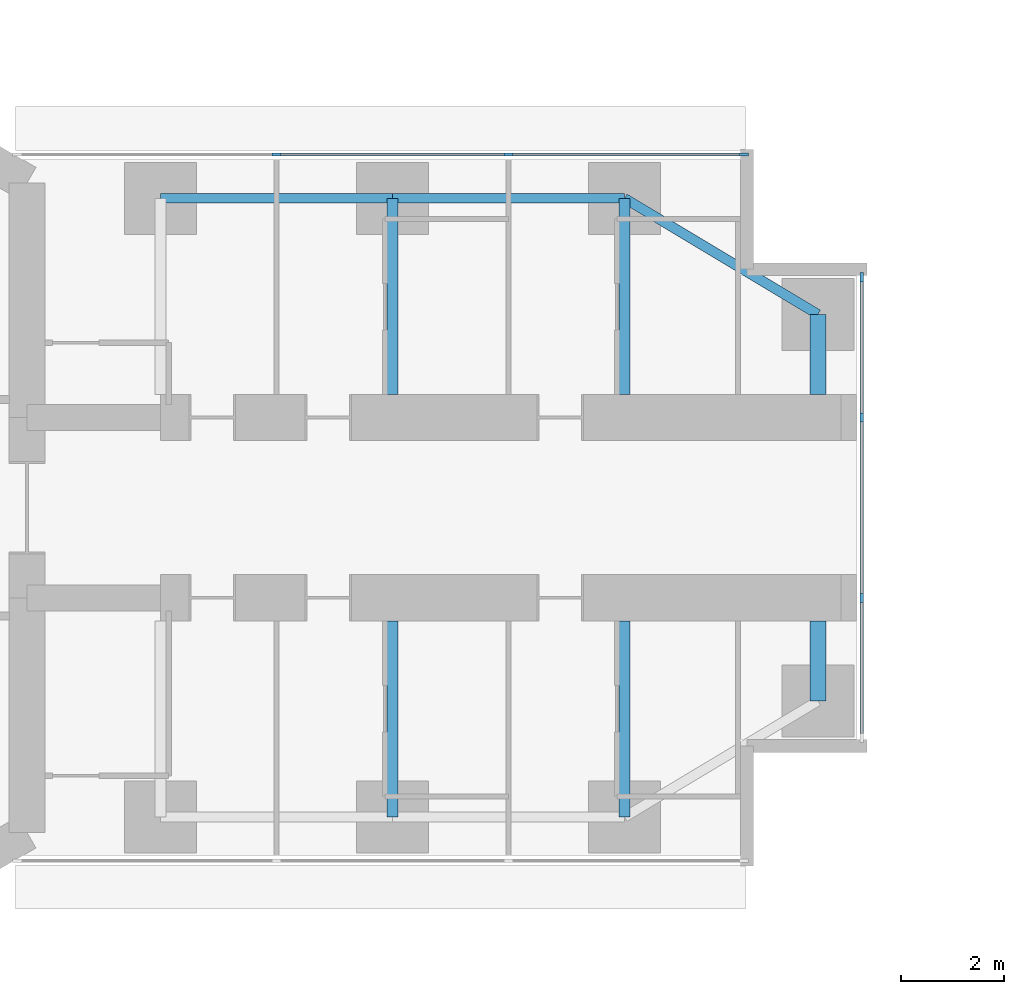
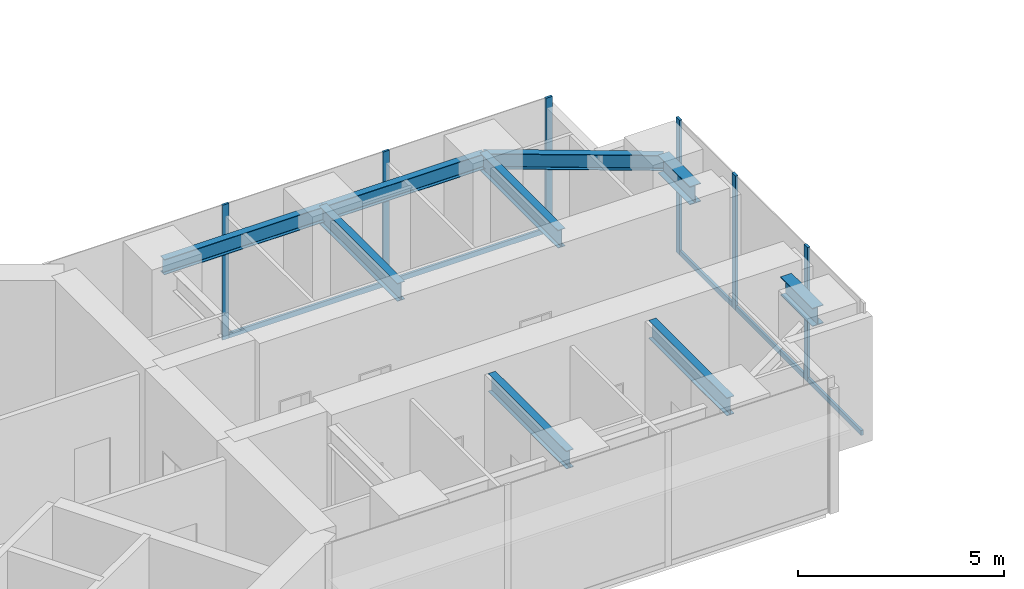
# One storey, part 8 of 25: 11 members, 9 beams, 2 elements without a shape of their own.
"""IFC4 building model written with IfcOpenShell, lengths in metres."""

from ifc_helpers import new_model, si_unit, direction, frame, origin, origin_2d, place, context, subcontext, project, spatial, rectangle, i_section, extrude, material, material_profile, profile_set, type_object, element, aggregate, save


model = new_model("IFC4")

# Units and contexts
model_context = context("Model", 3, precision=1e-05, world=origin(), true_north=direction((0.0, 1.0)))
body_context = subcontext(model_context, "Body", "Model", "MODEL_VIEW")
ifc_project = project(units=[si_unit("LENGTHUNIT", "METRE"), si_unit("AREAUNIT", "SQUARE_METRE"), si_unit("VOLUMEUNIT", "CUBIC_METRE"), si_unit("PLANEANGLEUNIT", "RADIAN"), si_unit("MASSUNIT", "GRAM", prefix="KILO")], contexts=[model_context])

# Site, building, storey
site_placement = place(None, origin())
site = spatial("IfcSite", under=ifc_project, at=site_placement, CompositionType="ELEMENT")
building_placement = place(site_placement, origin())
building = spatial("IfcBuilding", under=site, at=building_placement, Name="Upepo Twin Towers", CompositionType="ELEMENT")
storey_placement = place(building_placement, frame((0.0, 0.0, 88.5)))
storey = spatial("IfcBuildingStorey", under=building, at=storey_placement, Name="L21", CompositionType="ELEMENT", Elevation=88.5)

# Beams
ifc_material_1 = material(Name="Steel S355", Category="steel")
ifc_material_profile_1 = material_profile(ifc_material_1, i_section(OverallWidth=0.1904296875, OverallDepth=0.45703125, WebThickness=0.009033203125, FlangeThickness=0.014404296875, FilletRadius=0.01025390625, at=origin_2d()), Name="UB 457x191x74")
ifc_profile_set_1 = profile_set([ifc_material_profile_1], Name="Steel S355")
beam_type_1 = type_object("IfcBeamType", Name="Beam UB 457x191x74", PredefinedType="BEAM", material=ifc_profile_set_1)
for number, where, z_axis, x_axis, name in (
    (1, (13.5, 6.0, 3.471435546875), (1.0, 0.0, 0.0), (0.0, 1.0, 0.0), "T1 edge beam AL 13.5-18.0"),
    (2, (18.0, 6.0, 3.471435546875), (1.0, 0.0, 0.0), (0.0, 1.0, 0.0), "T1 edge beam AL 18.0-22.5"),
):
    element("IfcBeam", number, at=place(storey_placement, frame(where, z_axis=z_axis, x_axis=x_axis)), inside=storey, type_object=beam_type_1, Name=name, PredefinedType="BEAM", context=body_context, shape_type="SweptSolid", body=[
        extrude(i_section(OverallWidth=0.1904296875, OverallDepth=0.45703125, WebThickness=0.009033203125, FlangeThickness=0.014404296875, FilletRadius=0.01025390625, at=origin_2d()), origin(), (0.0, 0.0, 1.0), 4.5),
    ])
beam_placement = place(storey_placement, frame((22.5, 6.0, 3.471435546875), z_axis=(0.857492925713, -0.514495755428, 0.0), x_axis=(0.514495755428, 0.857492925713, 0.0)))
element("IfcBeam", 3, at=beam_placement, inside=storey, type_object=beam_type_1, Name="T1 nose edge beam AL", PredefinedType="BEAM", context=body_context, shape_type="SweptSolid", body=[
    extrude(i_section(OverallWidth=0.1904296875, OverallDepth=0.45703125, WebThickness=0.009033203125, FlangeThickness=0.014404296875, FilletRadius=0.01025390625, at=origin_2d()), origin(), (0.0, 0.0, 1.0), 4.373291015625),
])
ifc_material_2 = material(Name="Steel S355", Category="steel")
ifc_material_profile_2 = material_profile(ifc_material_2, i_section(OverallWidth=0.209228515625, OverallDepth=0.533203125, WebThickness=0.010009765625, FlangeThickness=0.015625, FilletRadius=0.0126953125, at=origin_2d()), Name="UB 533x210x92")
ifc_profile_set_2 = profile_set([ifc_material_profile_2], Name="Steel S355")
beam_type_2 = type_object("IfcBeamType", Name="Beam UB 533x210x92", PredefinedType="BEAM", material=ifc_profile_set_2)
for number, where, z_axis, x_axis, name in (
    (4, (18.0, 6.0, 3.433349609375), (0.0, -1.0, 0.0), (1.0, 0.0, 0.0), "T1 girder AL at 18.0"),
    (5, (22.5, 6.0, 3.433349609375), (0.0, -1.0, 0.0), (1.0, 0.0, 0.0), "T1 girder AL at 22.5"),
    (6, (18.0, -6.0, 3.433349609375), (0.0, 1.0, 0.0), (-1.0, 0.0, 0.0), "T1 girder AR at 18.0"),
    (7, (22.5, -6.0, 3.433349609375), (0.0, 1.0, 0.0), (-1.0, 0.0, 0.0), "T1 girder AR at 22.5"),
):
    element("IfcBeam", number, at=place(storey_placement, frame(where, z_axis=z_axis, x_axis=x_axis)), inside=storey, type_object=beam_type_2, Name=name, PredefinedType="BEAM", context=body_context, shape_type="SweptSolid", body=[
        extrude(i_section(OverallWidth=0.209228515625, OverallDepth=0.533203125, WebThickness=0.010009765625, FlangeThickness=0.015625, FilletRadius=0.0126953125, at=origin_2d()), origin(), (0.0, 0.0, 1.0), 3.800048828125),
    ])
ifc_material_3 = material(Name="Steel S355", Category="steel")
ifc_material_profile_3 = material_profile(ifc_material_3, i_section(OverallWidth=0.31201171875, OverallDepth=0.54345703125, WebThickness=0.0126953125, FlangeThickness=0.020263671875, FilletRadius=0.0126953125, at=origin_2d()), Name="UB 533x312x150")
ifc_profile_set_3 = profile_set([ifc_material_profile_3], Name="Steel S355")
beam_type_3 = type_object("IfcBeamType", Name="Beam UB 533x312x150", PredefinedType="BEAM", material=ifc_profile_set_3)
for number, where, z_axis, x_axis, name in (
    (8, (26.25, 3.75, 3.42822265625), (0.0, -1.0, 0.0), (1.0, 0.0, 0.0), "T1 nose beam AL"),
    (9, (26.25, -3.75, 3.42822265625), (0.0, 1.0, 0.0), (-1.0, 0.0, 0.0), "T1 nose beam AR"),
):
    element("IfcBeam", number, at=place(storey_placement, frame(where, z_axis=z_axis, x_axis=x_axis)), inside=storey, type_object=beam_type_3, Name=name, PredefinedType="BEAM", context=body_context, shape_type="SweptSolid", body=[
        extrude(i_section(OverallWidth=0.31201171875, OverallDepth=0.54345703125, WebThickness=0.0126953125, FlangeThickness=0.020263671875, FilletRadius=0.0126953125, at=origin_2d()), origin(), (0.0, 0.0, 1.0), 1.550048828125),
    ])

# Curtain wall, members
ifc_material_4 = material(Name="Aluminium and fritted glass", Category="aluminium")
curtain_wall_type = type_object("IfcCurtainWallType", Name="Tower curtain wall TW1, fritted glass", PredefinedType="NOTDEFINED", material=ifc_material_4)
curtain_wall_1_placement = place(storey_placement, origin())
curtain_wall_1 = element("IfcCurtainWall", 10, at=curtain_wall_1_placement, inside=storey, type_object=curtain_wall_type, Name="T1 L21 wing A flank L curtain wall", PredefinedType="NOTDEFINED")
ifc_material_5 = material(Name="Aluminium mullion", Category="aluminium")
ifc_material_profile_4 = material_profile(ifc_material_5, rectangle(XDim=0.06494140625, YDim=0.179931640625, at=origin_2d()), Name="MULLION 65x180")
ifc_profile_set_4 = profile_set([ifc_material_profile_4], Name="Aluminium mullion")
member_type_1 = type_object("IfcMemberType", Name="Mullion 65x180 TW1", PredefinedType="MULLION", material=ifc_profile_set_4)
member_1_placement = place(storey_placement, frame((15.75, 6.85009765625, 0.0), z_axis=(0.0, 0.0, 1.0), x_axis=(0.0, 1.0, 0.0)))
member_1 = element("IfcMember", 11, at=member_1_placement, type_object=member_type_1, Name="T1 L21 wing A flank L curtain wall mullion 2", PredefinedType="MULLION", context=body_context, shape_type="SweptSolid", body=[
    extrude(rectangle(XDim=0.06494140625, YDim=0.179931640625, at=origin_2d()), origin(), (0.0, 0.0, 1.0), 4.0),
])
member_2_placement = place(storey_placement, frame((20.25, 6.85009765625, 0.0), z_axis=(0.0, 0.0, 1.0), x_axis=(0.0, 1.0, 0.0)))
member_2 = element("IfcMember", 12, at=member_2_placement, type_object=member_type_1, Name="T1 L21 wing A flank L curtain wall mullion 3", PredefinedType="MULLION", context=body_context, shape_type="SweptSolid", body=[
    extrude(rectangle(XDim=0.06494140625, YDim=0.179931640625, at=origin_2d()), origin(), (0.0, 0.0, 1.0), 4.0),
])
member_3_placement = place(storey_placement, frame((24.8173828125, 6.85009765625, 0.0), z_axis=(0.0, 0.0, 1.0), x_axis=(0.0, 1.0, 0.0)))
member_3 = element("IfcMember", 13, at=member_3_placement, type_object=member_type_1, Name="T1 L21 wing A flank L curtain wall mullion 4", PredefinedType="MULLION", context=body_context, shape_type="SweptSolid", body=[
    extrude(rectangle(XDim=0.06494140625, YDim=0.179931640625, at=origin_2d()), origin(), (0.0, 0.0, 1.0), 4.0),
])

curtain_wall_2_placement = place(storey_placement, origin())
curtain_wall_2 = element("IfcCurtainWall", 14, at=curtain_wall_2_placement, inside=storey, type_object=curtain_wall_type, Name="T1 L21 wing A nose curtain wall", PredefinedType="NOTDEFINED")
member_4_placement = place(storey_placement, frame((27.10009765625, -1.75, 0.0), z_axis=(0.0, 0.0, 1.0), x_axis=(-1.0, 0.0, 0.0)))
member_4 = element("IfcMember", 15, at=member_4_placement, type_object=member_type_1, Name="T1 L21 wing A nose curtain wall mullion 2", PredefinedType="MULLION", context=body_context, shape_type="SweptSolid", body=[
    extrude(rectangle(XDim=0.06494140625, YDim=0.179931640625, at=origin_2d()), origin(), (0.0, 0.0, 1.0), 4.0),
])
member_5_placement = place(storey_placement, frame((27.10009765625, 1.75, 0.0), z_axis=(0.0, 0.0, 1.0), x_axis=(-1.0, 0.0, 0.0)))
member_5 = element("IfcMember", 16, at=member_5_placement, type_object=member_type_1, Name="T1 L21 wing A nose curtain wall mullion 3", PredefinedType="MULLION", context=body_context, shape_type="SweptSolid", body=[
    extrude(rectangle(XDim=0.06494140625, YDim=0.179931640625, at=origin_2d()), origin(), (0.0, 0.0, 1.0), 4.0),
])
member_6_placement = place(storey_placement, frame((27.10009765625, 4.467529296875, 0.0), z_axis=(0.0, 0.0, 1.0), x_axis=(-1.0, 0.0, 0.0)))
member_6 = element("IfcMember", 17, at=member_6_placement, type_object=member_type_1, Name="T1 L21 wing A nose curtain wall mullion 4", PredefinedType="MULLION", context=body_context, shape_type="SweptSolid", body=[
    extrude(rectangle(XDim=0.06494140625, YDim=0.179931640625, at=origin_2d()), origin(), (0.0, 0.0, 1.0), 4.0),
])

# Member
ifc_material_6 = material(Name="Aluminium transom", Category="aluminium")
ifc_material_profile_5 = material_profile(ifc_material_6, rectangle(XDim=0.06494140625, YDim=0.14990234375, at=origin_2d()), Name="TRANSOM 65x150")
ifc_profile_set_5 = profile_set([ifc_material_profile_5], Name="Aluminium transom")
member_type_2 = type_object("IfcMemberType", Name="Transom 65x150 TW1", PredefinedType="USERDEFINED", material=ifc_profile_set_5)
member_7_placement = place(storey_placement, frame((15.782470703125, 6.85009765625, 0.074951171875), z_axis=(1.0, 0.0, 0.0), x_axis=(0.0, 1.0, 0.0)))
member_7 = element("IfcMember", 18, at=member_7_placement, type_object=member_type_2, Name="T1 L21 wing A flank L curtain wall transom 2", ObjectType="TRANSOM", PredefinedType="USERDEFINED", context=body_context, shape_type="SweptSolid", body=[
    extrude(rectangle(XDim=0.06494140625, YDim=0.14990234375, at=origin_2d()), origin(), (0.0, 0.0, 1.0), 4.43505859375),
])

member_8_placement = place(storey_placement, frame((20.282470703125, 6.85009765625, 0.074951171875), z_axis=(1.0, 0.0, 0.0), x_axis=(0.0, 1.0, 0.0)))
member_8 = element("IfcMember", 19, at=member_8_placement, type_object=member_type_2, Name="T1 L21 wing A flank L curtain wall transom 3", ObjectType="TRANSOM", PredefinedType="USERDEFINED", context=body_context, shape_type="SweptSolid", body=[
    extrude(rectangle(XDim=0.06494140625, YDim=0.14990234375, at=origin_2d()), origin(), (0.0, 0.0, 1.0), 4.50244140625),
])

aggregate(curtain_wall_1, [member_1, member_2, member_3, member_7, member_8])

member_9_placement = place(storey_placement, frame((27.10009765625, -4.43505859375, 0.074951171875), z_axis=(0.0, 1.0, 0.0), x_axis=(-1.0, 0.0, 0.0)))
member_9 = element("IfcMember", 20, at=member_9_placement, type_object=member_type_2, Name="T1 L21 wing A nose curtain wall transom 1", ObjectType="TRANSOM", PredefinedType="USERDEFINED", context=body_context, shape_type="SweptSolid", body=[
    extrude(rectangle(XDim=0.06494140625, YDim=0.14990234375, at=origin_2d()), origin(), (0.0, 0.0, 1.0), 2.652587890625),
])

member_10_placement = place(storey_placement, frame((27.10009765625, -1.717529296875, 0.074951171875), z_axis=(0.0, 1.0, 0.0), x_axis=(-1.0, 0.0, 0.0)))
member_10 = element("IfcMember", 21, at=member_10_placement, type_object=member_type_2, Name="T1 L21 wing A nose curtain wall transom 2", ObjectType="TRANSOM", PredefinedType="USERDEFINED", context=body_context, shape_type="SweptSolid", body=[
    extrude(rectangle(XDim=0.06494140625, YDim=0.14990234375, at=origin_2d()), origin(), (0.0, 0.0, 1.0), 3.43505859375),
])

member_11_placement = place(storey_placement, frame((27.10009765625, 1.782470703125, 0.074951171875), z_axis=(0.0, 1.0, 0.0), x_axis=(-1.0, 0.0, 0.0)))
member_11 = element("IfcMember", 22, at=member_11_placement, type_object=member_type_2, Name="T1 L21 wing A nose curtain wall transom 3", ObjectType="TRANSOM", PredefinedType="USERDEFINED", context=body_context, shape_type="SweptSolid", body=[
    extrude(rectangle(XDim=0.06494140625, YDim=0.14990234375, at=origin_2d()), origin(), (0.0, 0.0, 1.0), 2.652587890625),
])

aggregate(curtain_wall_2, [member_4, member_5, member_6, member_9, member_10, member_11])

save(model, "model.ifc")
